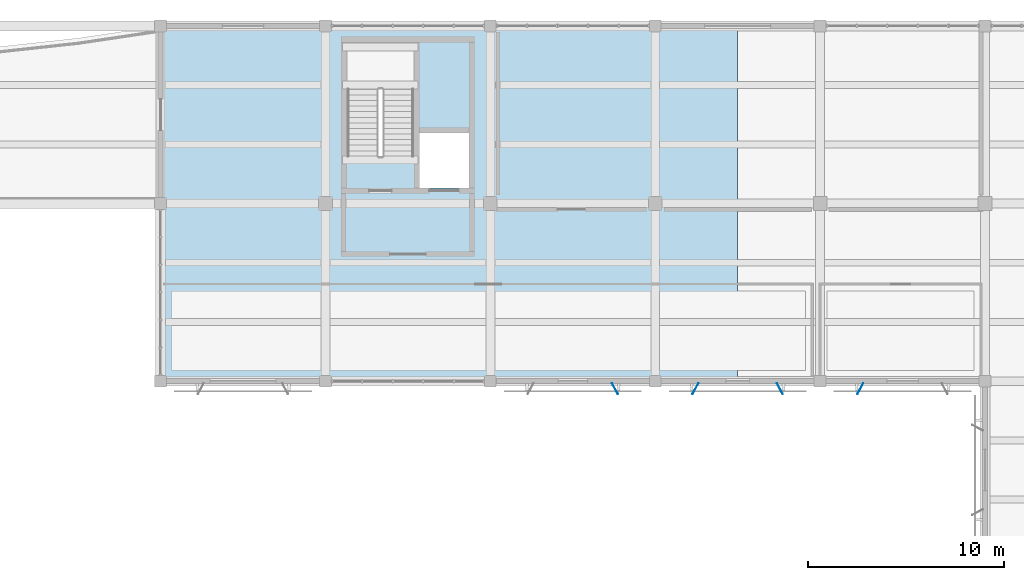
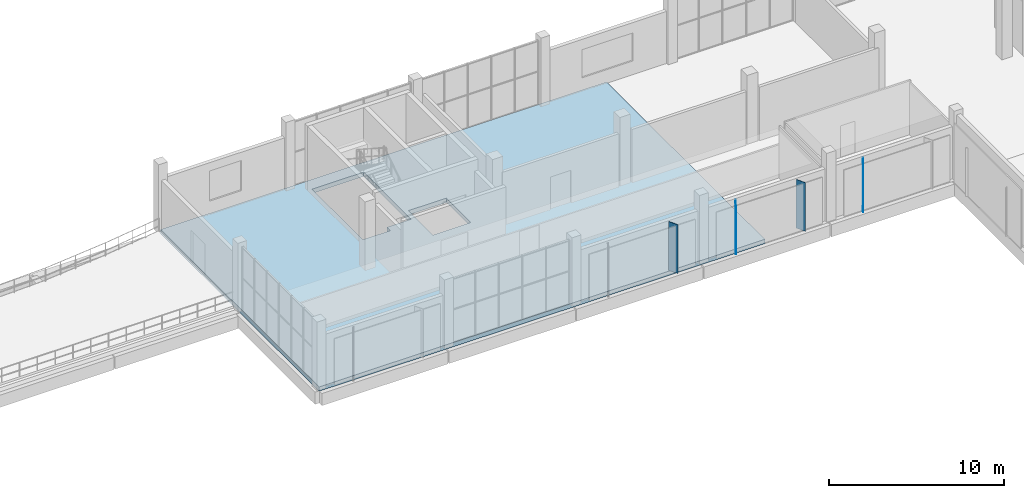
# One storey, part 51 of 80: 4 plates, 1 slab.
"""IFC4 building model written with IfcOpenShell, lengths in metres."""

from ifc_helpers import new_model, si_unit, direction, frame, origin, origin_2d, place, context, subcontext, project, spatial, polyline, rectangle, outline, extrude, material, layer, layer_set, type_object, element, save


model = new_model("IFC4")

# Units and contexts
model_context = context("Model", 3, precision=1e-05, world=origin(), true_north=direction((0.0, 1.0)))
body_context = subcontext(model_context, "Body", "Model", "MODEL_VIEW")
ifc_project = project(units=[si_unit("LENGTHUNIT", "METRE"), si_unit("AREAUNIT", "SQUARE_METRE"), si_unit("VOLUMEUNIT", "CUBIC_METRE"), si_unit("PLANEANGLEUNIT", "RADIAN"), si_unit("MASSUNIT", "GRAM", prefix="KILO")], contexts=[model_context])

# Site, building, storey
site_placement = place(None, origin())
site = spatial("IfcSite", under=ifc_project, at=site_placement, CompositionType="ELEMENT")
building_placement = place(site_placement, origin())
building = spatial("IfcBuilding", under=site, at=building_placement, Name="Khurvash Pelagic Aquarium", CompositionType="ELEMENT")
storey_placement = place(building_placement, frame((0.0, 0.0, 10.800048828125)))
storey = spatial("IfcBuildingStorey", under=building, at=storey_placement, Name="L02", CompositionType="ELEMENT", Elevation=10.800048828125)

# Slab
ifc_material_1 = material(Name="Concrete C40/50", Category="concrete")
ifc_layer_1 = layer(ifc_material_1, 0.300048828125)
ifc_layer_set_1 = layer_set([ifc_layer_1], Name="Concrete C40/50")
slab_type = type_object("IfcSlabType", Name="FS-300", PredefinedType="FLOOR", material=ifc_layer_set_1)
slab_placement = place(storey_placement, frame((0.0, 0.0, -0.300048828125)))
element("IfcSlab", 1, at=slab_placement, inside=storey, type_object=slab_type, Name="L02 Structural Floor Slab FS-300 V5_NORTH.1", PredefinedType="FLOOR", context=body_context, shape_type="SweptSolid", body=[
    extrude(outline(polyline([(58.800048828125, 84.050048828125), (88.199951171875, 84.050048828125), (88.199951171875, 102.14990234375), (58.800048828125, 102.14990234375), (58.800048828125, 84.050048828125)]), holes=[polyline([(70.10009765625, 95.5), (68.300048828125, 95.5), (68.300048828125, 101.300048828125), (71.699951171875, 101.300048828125), (71.699951171875, 95.8798828125), (70.10009765625, 95.8798828125), (70.10009765625, 95.5)]), polyline([(74.5, 93.89990234375), (72.0, 93.89990234375), (72.0, 96.699951171875), (74.5, 96.699951171875), (74.5, 93.89990234375)])]), origin(), (0.0, 0.0, 1.0), 0.300048828125),
])

# Plates
ifc_material_2 = material(Name="Anodised aluminium AW-5005", Category="aluminium")
ifc_layer_2 = layer(ifc_material_2, 0.02392578125)
ifc_layer_set_2 = layer_set([ifc_layer_2], Name="Anodised aluminium AW-5005")
plate_type = type_object("IfcPlateType", Name="SP-01", PredefinedType="SHEET", material=ifc_layer_set_2)
for number, where, z_axis, x_axis, name in (
    (2, (81.949951171875, 83.672119140625, 0.14990234375), (0.0, 0.0, 1.0), (0.469471562786, -0.882947592859, 0.0), "L02 Parametric Folded Aluminium Solar Screen Fin SP-01 0036"),
    (3, (86.050048828125, 83.672119140625, 0.14990234375), (0.0, 0.0, 1.0), (-0.469471562786, -0.882947592859, 0.0), "L02 Parametric Folded Aluminium Solar Screen Fin SP-01 0037"),
    (4, (90.35009765625, 83.672119140625, 0.14990234375), (0.0, 0.0, 1.0), (0.469471562786, -0.882947592859, 0.0), "L02 Parametric Folded Aluminium Solar Screen Fin SP-01 0038"),
    (5, (94.449951171875, 83.672119140625, 0.14990234375), (0.0, 0.0, 1.0), (-0.469471562786, -0.882947592859, 0.0), "L02 Parametric Folded Aluminium Solar Screen Fin SP-01 0039"),
):
    element("IfcPlate", number, at=place(storey_placement, frame(where, z_axis=z_axis, x_axis=x_axis)), inside=storey, type_object=plate_type, Name=name, PredefinedType="SHEET", context=body_context, shape_type="SweptSolid", body=[
        extrude(rectangle(XDim=0.6201171875, YDim=0.02392578125, at=origin_2d()), origin(), (0.0, 0.0, 1.0), 3.39990234375),
    ])

save(model, "model.ifc")
